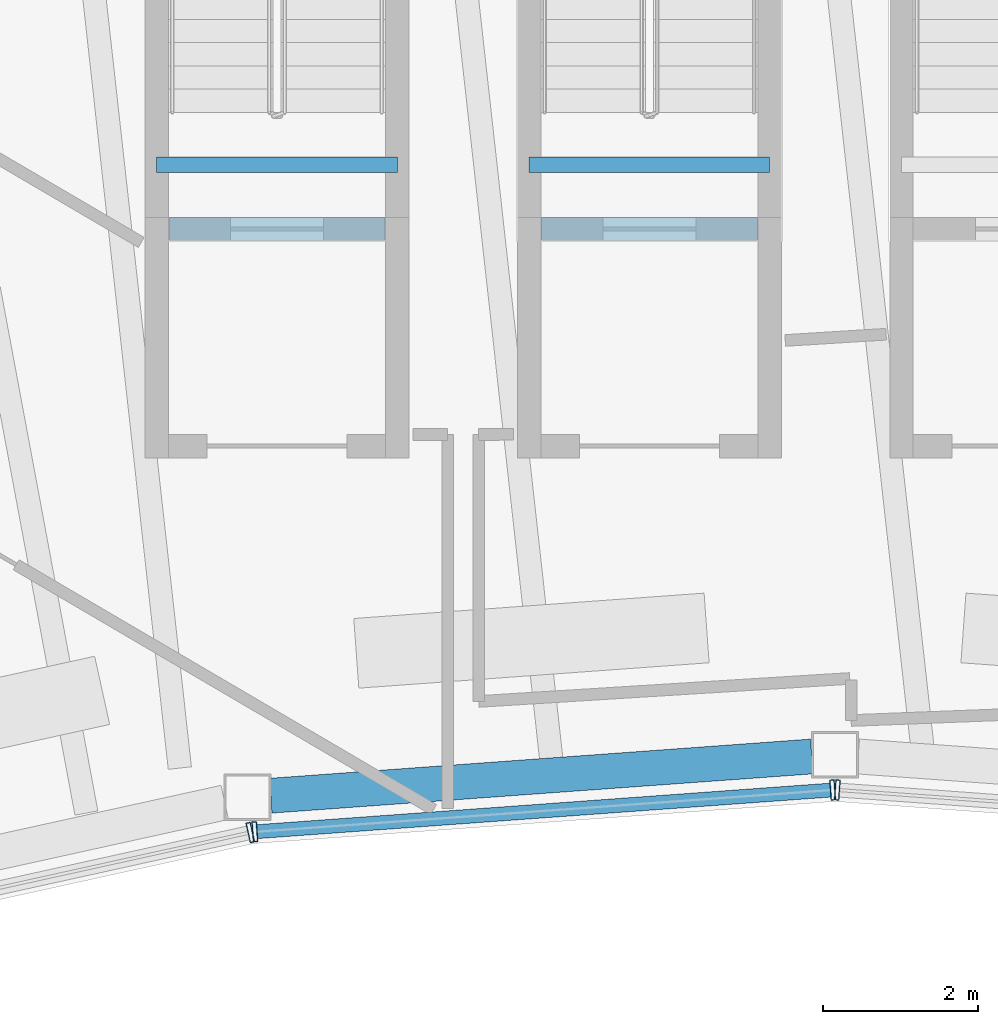
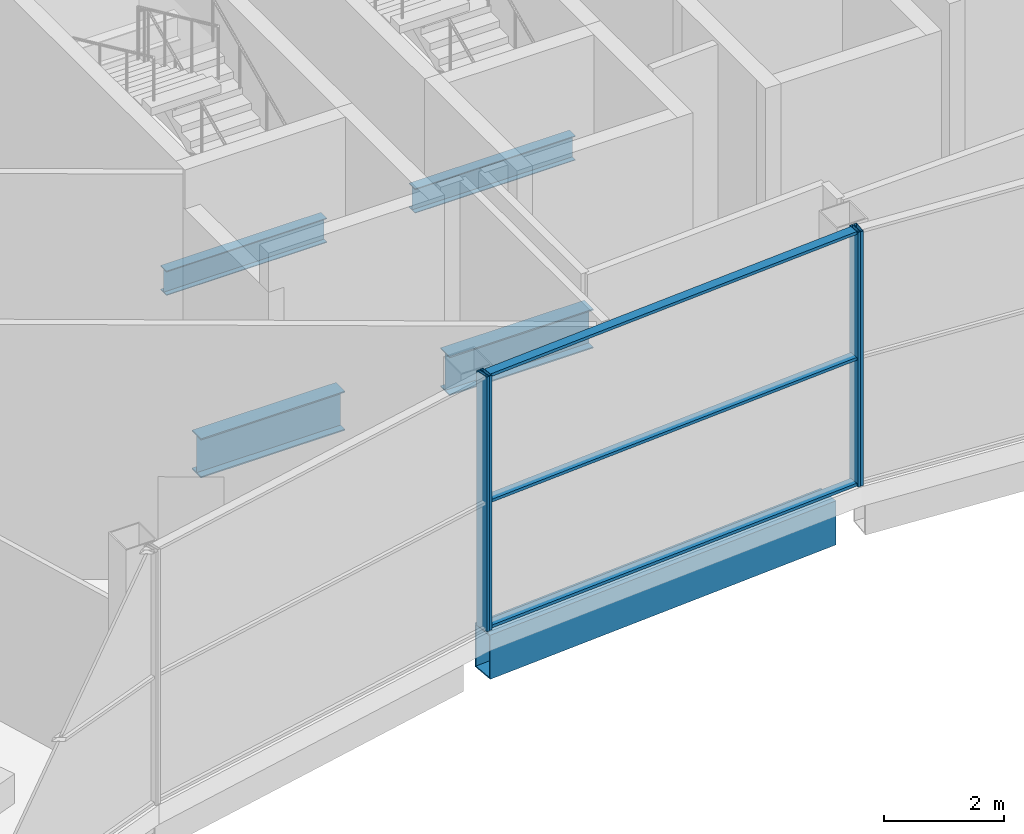
# One storey, part 13 of 44: 7 members, 5 beams, 3 elements without a shape of their own.
"""IFC4 building model written with IfcOpenShell, lengths in metres."""

from ifc_helpers import new_model, si_unit, direction, frame, origin, origin_2d, place, context, subcontext, project, spatial, hollow_rectangle, i_section, extrude, material, layer, layer_set, material_profile, profile_set, type_object, element, aggregate, save


model = new_model("IFC4")

# Units and contexts
model_context = context("Model", 3, precision=1e-05, world=origin(), true_north=direction((0.0, 1.0)))
body_context = subcontext(model_context, "Body", "Model", "MODEL_VIEW")
ifc_project = project(units=[si_unit("LENGTHUNIT", "METRE"), si_unit("AREAUNIT", "SQUARE_METRE"), si_unit("VOLUMEUNIT", "CUBIC_METRE"), si_unit("PLANEANGLEUNIT", "RADIAN"), si_unit("MASSUNIT", "GRAM", prefix="KILO")], contexts=[model_context])

# Site, building, storey
site_placement = place(None, origin())
site = spatial("IfcSite", under=ifc_project, at=site_placement, CompositionType="ELEMENT")
building_placement = place(site_placement, origin())
building = spatial("IfcBuilding", under=site, at=building_placement, Name="Tuul Gate Civic Tower", CompositionType="ELEMENT")
storey_placement = place(building_placement, frame((0.0, 0.0, 354.60009765625)))
storey = spatial("IfcBuildingStorey", under=building, at=storey_placement, Name="Observation level 2", CompositionType="ELEMENT", Elevation=354.60009765625)

# Curtain wall, member
ifc_material_1 = material(Name="Stainless steel", Category="steel")
ifc_layer = layer(ifc_material_1, 0.199951171875)
ifc_layer_set = layer_set([ifc_layer], Name="Stainless steel")
curtain_wall_type = type_object("IfcCurtainWallType", Name="Curtain wall CW4", PredefinedType="NOTDEFINED", material=ifc_layer_set)
curtain_wall_1_placement = place(storey_placement, origin())
curtain_wall_1 = element("IfcCurtainWall", 1, at=curtain_wall_1_placement, inside=storey, type_object=curtain_wall_type, Name="Curtain wall CW4", PredefinedType="NOTDEFINED")
ifc_material_2 = material(Name="Stainless steel", Category="steel")
ifc_material_profile_1 = material_profile(ifc_material_2, hollow_rectangle(XDim=0.260009765625, YDim=0.06005859375, WallThickness=0.006103515625, at=origin_2d()), Name="CW4 mullion")
ifc_profile_set_1 = profile_set([ifc_material_profile_1], Name="Stainless steel")
member_type_1 = type_object("IfcMemberType", Name="CW4 mullion", PredefinedType="MULLION", material=ifc_profile_set_1)
member_1_placement = place(storey_placement, frame((-5.34423828125, -8.529541015625, 0.0), z_axis=(0.0, 0.0, 1.0), x_axis=(-0.215241961183, 0.976560749849, 0.0)))
member_1 = element("IfcMember", 2, at=member_1_placement, type_object=member_type_1, Name="Mullion", PredefinedType="MULLION", context=body_context, shape_type="SweptSolid", body=[
    extrude(hollow_rectangle(XDim=0.260009765625, YDim=0.06005859375, WallThickness=0.006103515625, at=origin_2d()), origin(), (0.0, 0.0, 1.0), 5.199951171875),
])
aggregate(curtain_wall_1, [member_1])

# Curtain wall, members
curtain_wall_2_placement = place(storey_placement, origin())
curtain_wall_2 = element("IfcCurtainWall", 3, at=curtain_wall_2_placement, inside=storey, type_object=curtain_wall_type, Name="Curtain wall CW4", PredefinedType="NOTDEFINED")
member_2_placement = place(storey_placement, frame((-5.28515625, -8.520751953125, 0.0), z_axis=(0.0, 0.0, 1.0), x_axis=(-0.072276176045, 0.997384657179, 0.0)))
member_2 = element("IfcMember", 4, at=member_2_placement, type_object=member_type_1, Name="Mullion", PredefinedType="MULLION", context=body_context, shape_type="SweptSolid", body=[
    extrude(hollow_rectangle(XDim=0.260009765625, YDim=0.06005859375, WallThickness=0.006103515625, at=origin_2d()), origin(), (0.0, 0.0, 1.0), 5.199951171875),
])
member_3_placement = place(storey_placement, frame((2.162109375, -7.981201171875, 0.0), z_axis=(0.0, 0.0, 1.0), x_axis=(-0.072276176045, 0.997384657179, 0.0)))
member_3 = element("IfcMember", 5, at=member_3_placement, type_object=member_type_1, Name="Mullion", PredefinedType="MULLION", context=body_context, shape_type="SweptSolid", body=[
    extrude(hollow_rectangle(XDim=0.260009765625, YDim=0.06005859375, WallThickness=0.006103515625, at=origin_2d()), origin(), (0.0, 0.0, 1.0), 5.199951171875),
])

# Curtain wall, member
curtain_wall_3_placement = place(storey_placement, origin())
curtain_wall_3 = element("IfcCurtainWall", 6, at=curtain_wall_3_placement, inside=storey, type_object=curtain_wall_type, Name="Curtain wall CW4", PredefinedType="NOTDEFINED")
member_4_placement = place(storey_placement, frame((2.221923828125, -7.981201171875, 0.0), z_axis=(0.0, 0.0, 1.0), x_axis=(0.072276176045, 0.997384657179, 0.0)))
member_4 = element("IfcMember", 7, at=member_4_placement, type_object=member_type_1, Name="Mullion", PredefinedType="MULLION", context=body_context, shape_type="SweptSolid", body=[
    extrude(hollow_rectangle(XDim=0.260009765625, YDim=0.06005859375, WallThickness=0.006103515625, at=origin_2d()), origin(), (0.0, 0.0, 1.0), 5.199951171875),
])
aggregate(curtain_wall_3, [member_4])

# Member
ifc_material_3 = material(Name="Stainless steel", Category="steel")
ifc_material_profile_2 = material_profile(ifc_material_3, hollow_rectangle(XDim=0.179931640625, YDim=0.06005859375, WallThickness=0.006103515625, at=origin_2d()), Name="CW4 transom")
ifc_profile_set_2 = profile_set([ifc_material_profile_2], Name="Stainless steel")
member_type_2 = type_object("IfcMemberType", Name="CW4 transom", PredefinedType="USERDEFINED", material=ifc_profile_set_2)
member_5_placement = place(storey_placement, frame((-5.255126953125, -8.5185546875, 0.02978515625), z_axis=(0.997386242121, 0.072254301102, 0.0), x_axis=(-0.072254301102, 0.997386242121, 0.0)))
member_5 = element("IfcMember", 8, at=member_5_placement, type_object=member_type_2, Name="Transom", ObjectType="TRANSOM", PredefinedType="USERDEFINED", context=body_context, shape_type="SweptSolid", body=[
    extrude(hollow_rectangle(XDim=0.179931640625, YDim=0.06005859375, WallThickness=0.006103515625, at=origin_2d()), origin(), (0.0, 0.0, 1.0), 7.406494140625),
])

member_6_placement = place(storey_placement, frame((-5.255126953125, -8.5185546875, 2.599853515625), z_axis=(0.997386242121, 0.072254301102, 0.0), x_axis=(-0.072254301102, 0.997386242121, 0.0)))
member_6 = element("IfcMember", 9, at=member_6_placement, type_object=member_type_2, Name="Transom", ObjectType="TRANSOM", PredefinedType="USERDEFINED", context=body_context, shape_type="SweptSolid", body=[
    extrude(hollow_rectangle(XDim=0.179931640625, YDim=0.06005859375, WallThickness=0.006103515625, at=origin_2d()), origin(), (0.0, 0.0, 1.0), 7.406494140625),
])

member_7_placement = place(storey_placement, frame((-5.255126953125, -8.5185546875, 5.169921875), z_axis=(0.997386242121, 0.072254301102, 0.0), x_axis=(-0.072254301102, 0.997386242121, 0.0)))
member_7 = element("IfcMember", 10, at=member_7_placement, type_object=member_type_2, Name="Transom", ObjectType="TRANSOM", PredefinedType="USERDEFINED", context=body_context, shape_type="SweptSolid", body=[
    extrude(hollow_rectangle(XDim=0.179931640625, YDim=0.06005859375, WallThickness=0.006103515625, at=origin_2d()), origin(), (0.0, 0.0, 1.0), 7.406494140625),
])

aggregate(curtain_wall_2, [member_2, member_3, member_5, member_6, member_7])

# Beams
ifc_material_4 = material(Name="Steel S355", Category="steel")
ifc_material_profile_3 = material_profile(ifc_material_4, i_section(OverallWidth=0.199951171875, OverallDepth=0.5, WebThickness=0.010009765625, FlangeThickness=0.01611328125, at=origin_2d()), Name="PG500x200x10x16")
ifc_profile_set_3 = profile_set([ifc_material_profile_3], Name="Steel S355")
beam_type_1 = type_object("IfcBeamType", Name="STR-FLOOR BEAM-PG500x200x10x16", PredefinedType="BEAM", material=ifc_profile_set_3)
for number, where, z_axis, x_axis, name in (
    (11, (-6.550048828125, 0.074951171875, 2.2998046875), (1.0, 0.0, 0.0), (0.0, 1.0, 0.0), "Landing support beam"),
    (12, (-1.75, 0.074951171875, 2.2998046875), (1.0, 0.0, 0.0), (0.0, 1.0, 0.0), "Landing support beam"),
):
    element("IfcBeam", number, at=place(storey_placement, frame(where, z_axis=z_axis, x_axis=x_axis)), inside=storey, type_object=beam_type_1, Name=name, PredefinedType="BEAM", context=body_context, shape_type="SweptSolid", body=[
        extrude(i_section(OverallWidth=0.199951171875, OverallDepth=0.5, WebThickness=0.010009765625, FlangeThickness=0.01611328125, at=origin_2d()), origin(), (0.0, 0.0, 1.0), 3.10009765625),
    ])
ifc_material_5 = material(Name="Steel S355", Category="steel")
ifc_material_profile_4 = material_profile(ifc_material_5, i_section(OverallWidth=0.300048828125, OverallDepth=0.800048828125, WebThickness=0.013916015625, FlangeThickness=0.02490234375, at=origin_2d()), Name="PG800x300x14x25")
ifc_profile_set_4 = profile_set([ifc_material_profile_4], Name="Steel S355")
beam_type_2 = type_object("IfcBeamType", Name="STR-FLOOR BEAM-PG800x300x14x25", PredefinedType="BEAM", material=ifc_profile_set_4)
beam_1_placement = place(storey_placement, frame((-6.389892578125, -0.75, -0.800048828125), z_axis=(1.0, 0.0, 0.0), x_axis=(0.0, 1.0, 0.0)))
element("IfcBeam", 13, at=beam_1_placement, inside=storey, type_object=beam_type_2, Name="Floor beam", PredefinedType="BEAM", context=body_context, shape_type="SweptSolid", body=[
    extrude(i_section(OverallWidth=0.300048828125, OverallDepth=0.800048828125, WebThickness=0.013916015625, FlangeThickness=0.02490234375, at=origin_2d()), origin(), (0.0, 0.0, 1.0), 2.77978515625),
])
beam_2_placement = place(storey_placement, frame((-1.590087890625, -0.75, -0.800048828125), z_axis=(1.0, 0.0, 0.0), x_axis=(0.0, 1.0, 0.0)))
element("IfcBeam", 14, at=beam_2_placement, inside=storey, type_object=beam_type_2, Name="Floor beam", PredefinedType="BEAM", context=body_context, shape_type="SweptSolid", body=[
    extrude(i_section(OverallWidth=0.300048828125, OverallDepth=0.800048828125, WebThickness=0.013916015625, FlangeThickness=0.02490234375, at=origin_2d()), origin(), (0.0, 0.0, 1.0), 2.780029296875),
])
ifc_material_6 = material(Name="Steel S355", Category="steel")
ifc_material_profile_5 = material_profile(ifc_material_6, hollow_rectangle(XDim=0.449951171875, YDim=0.89990234375, WallThickness=0.02490234375, at=origin_2d()), Name="BOX900x450x25")
ifc_profile_set_5 = profile_set([ifc_material_profile_5], Name="Steel S355")
beam_type_3 = type_object("IfcBeamType", Name="STR-SPANDREL BEAM-BOX900x450x25", PredefinedType="BEAM", material=ifc_profile_set_5)
beam_3_placement = place(storey_placement, frame((-5.080810546875, -8.055419921875, -0.85009765625), z_axis=(0.99738191337, 0.072314029638, 0.0), x_axis=(-0.072314029638, 0.99738191337, 0.0)))
element("IfcBeam", 15, at=beam_3_placement, inside=storey, type_object=beam_type_3, Name="Spandrel beam", PredefinedType="BEAM", context=body_context, shape_type="SweptSolid", body=[
    extrude(hollow_rectangle(XDim=0.449951171875, YDim=0.89990234375, WallThickness=0.02490234375, at=origin_2d()), origin(), (0.0, 0.0, 1.0), 6.991943359375),
])

save(model, "model.ifc")
